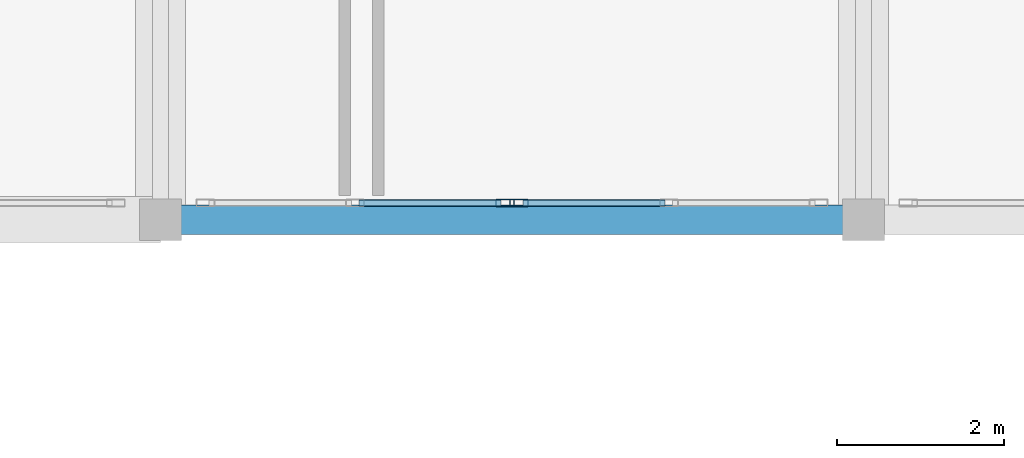
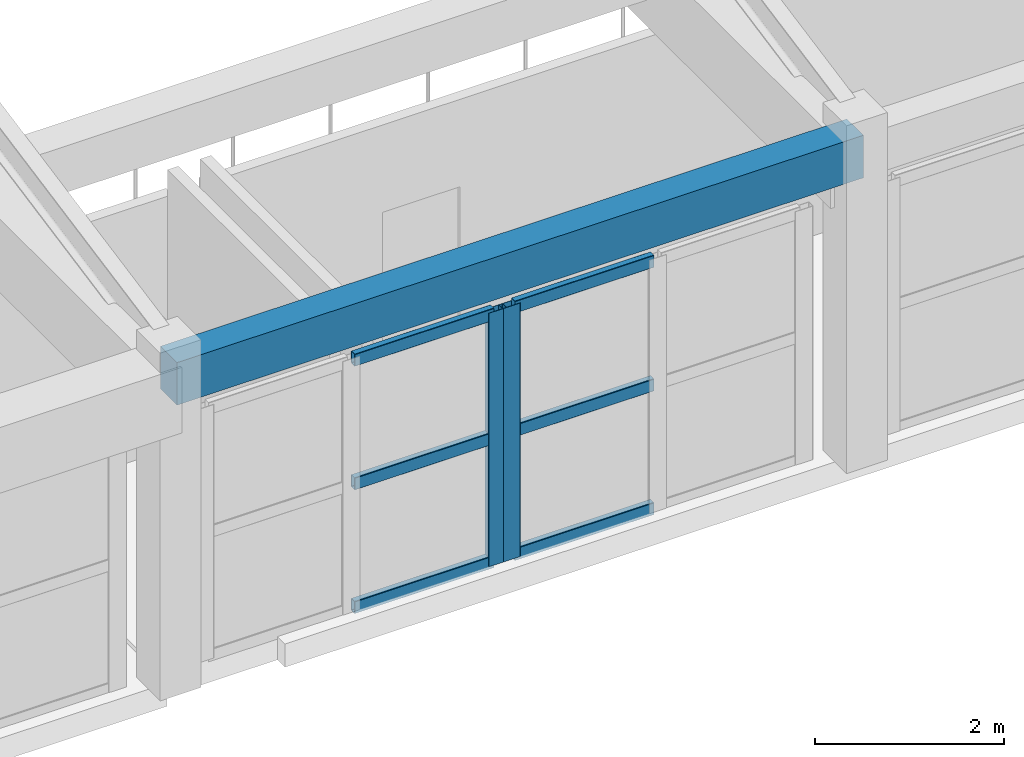
# One storey, part 23 of 91: 8 members, 1 beam, 2 elements without a shape of their own.
"""IFC4 building model written with IfcOpenShell, lengths in metres."""

from ifc_helpers import new_model, si_unit, direction, frame, origin, origin_2d, place, context, subcontext, project, spatial, rectangle, hollow_rectangle, extrude, material, layer, layer_set, material_profile, profile_set, type_object, element, aggregate, save


model = new_model("IFC4")

# Units and contexts
model_context = context("Model", 3, precision=1e-05, world=origin(), true_north=direction((0.0, 1.0)))
body_context = subcontext(model_context, "Body", "Model", "MODEL_VIEW")
ifc_project = project(units=[si_unit("LENGTHUNIT", "METRE"), si_unit("AREAUNIT", "SQUARE_METRE"), si_unit("VOLUMEUNIT", "CUBIC_METRE"), si_unit("PLANEANGLEUNIT", "RADIAN"), si_unit("MASSUNIT", "GRAM", prefix="KILO")], contexts=[model_context])

# Site, building, storey
site_placement = place(None, origin())
site = spatial("IfcSite", under=ifc_project, at=site_placement, CompositionType="ELEMENT")
building_placement = place(site_placement, origin())
building = spatial("IfcBuilding", under=site, at=building_placement, Name="Tarnavel Promenade Courthouse", CompositionType="ELEMENT")
storey_placement = place(building_placement, frame((0.0, 0.0, 9.89990234375)))
storey = spatial("IfcBuildingStorey", under=building, at=storey_placement, Name="L03", CompositionType="ELEMENT", Elevation=9.89990234375)

# Beam
ifc_material_1 = material(Name="Concrete C40/50", Category="concrete")
ifc_material_profile_1 = material_profile(ifc_material_1, rectangle(XDim=0.35009765625, YDim=0.550048828125, at=origin_2d()), Name="RC 350x550")
ifc_profile_set_1 = profile_set([ifc_material_profile_1], Name="Concrete C40/50")
beam_type = type_object("IfcBeamType", Name="Concrete C40/50 BM-RC-350x550 (RC 350x550)", PredefinedType="BEAM", material=ifc_profile_set_1)
beam_placement = place(storey_placement, frame((58.800048828125, 46.800048828125, 3.97021484375), z_axis=(1.0, 0.0, 0.0), x_axis=(0.0, 1.0, 0.0)))
element("IfcBeam", 1, at=beam_placement, inside=storey, type_object=beam_type, Name="L03 Primary Longitudinal Beam 1571", PredefinedType="BEAM", context=body_context, shape_type="SweptSolid", body=[
    extrude(rectangle(XDim=0.35009765625, YDim=0.550048828125, at=origin_2d()), origin(), (0.0, 0.0, 1.0), 8.39990234375),
])

# Curtain wall, member
ifc_material_2 = material(Name="Thermally Broken Anodised Aluminium Curtain Wall System", Category="aluminium")
ifc_layer = layer(ifc_material_2, 0.239990234375)
ifc_layer_set = layer_set([ifc_layer], Name="Thermally Broken Anodised Aluminium Curtain Wall System")
curtain_wall_type = type_object("IfcCurtainWallType", Name="Thermally Broken Aluminium Triple-Glazed Curtain Wall CW-WG-S", PredefinedType="NOTDEFINED", material=ifc_layer_set)
curtain_wall_1_placement = place(storey_placement, origin())
curtain_wall_1 = element("IfcCurtainWall", 2, at=curtain_wall_1_placement, inside=storey, type_object=curtain_wall_type, Name="L03 Winter-Garden South Solar Curtain Wall 087", PredefinedType="NOTDEFINED")
ifc_material_3 = material(Name="Thermally Broken Anodised Aluminium Frame", Category="aluminium")
ifc_material_profile_2 = material_profile(ifc_material_3, hollow_rectangle(XDim=0.090087890625, YDim=0.219970703125, WallThickness=0.0048828125, InnerFilletRadius=0.0048828125, OuterFilletRadius=0.010009765625, at=origin_2d()), Name="CWM 220x90x5")
ifc_profile_set_2 = profile_set([ifc_material_profile_2], Name="Thermally Broken Anodised Aluminium Frame")
member_type_1 = type_object("IfcMemberType", Name="Thermally Broken Anodised Aluminium CWM-175 (CWM 220x90x5)", PredefinedType="MULLION", material=ifc_profile_set_2)
member_1_placement = place(storey_placement, frame((62.9150390625, 47.0, 0.0), z_axis=(0.0, 0.0, 1.0), x_axis=(0.0, 1.0, 0.0)))
member_1 = element("IfcMember", 3, at=member_1_placement, type_object=member_type_1, Name="CW-02 mullion 3", PredefinedType="MULLION", context=body_context, shape_type="SweptSolid", body=[
    extrude(hollow_rectangle(XDim=0.090087890625, YDim=0.219970703125, WallThickness=0.0048828125, InnerFilletRadius=0.0048828125, OuterFilletRadius=0.010009765625, at=origin_2d()), origin(), (0.0, 0.0, 1.0), 3.280029296875),
])

curtain_wall_2_placement = place(storey_placement, origin())
curtain_wall_2 = element("IfcCurtainWall", 4, at=curtain_wall_2_placement, inside=storey, type_object=curtain_wall_type, Name="L03 Winter-Garden South Solar Curtain Wall 088", PredefinedType="NOTDEFINED")
member_2_placement = place(storey_placement, frame((63.0849609375, 47.0, 0.0), z_axis=(0.0, 0.0, 1.0), x_axis=(0.0, 1.0, 0.0)))
member_2 = element("IfcMember", 5, at=member_2_placement, type_object=member_type_1, Name="CW-02 mullion 1", PredefinedType="MULLION", context=body_context, shape_type="SweptSolid", body=[
    extrude(hollow_rectangle(XDim=0.090087890625, YDim=0.219970703125, WallThickness=0.0048828125, InnerFilletRadius=0.0048828125, OuterFilletRadius=0.010009765625, at=origin_2d()), origin(), (0.0, 0.0, 1.0), 3.280029296875),
])

# Member
ifc_material_profile_3 = material_profile(ifc_material_3, hollow_rectangle(XDim=0.080078125, YDim=0.159912109375, WallThickness=0.0048828125, InnerFilletRadius=0.0048828125, OuterFilletRadius=0.010009765625, at=origin_2d()), Name="CWT 160x80x5")
ifc_profile_set_3 = profile_set([ifc_material_profile_3], Name="Thermally Broken Anodised Aluminium Frame")
member_type_2 = type_object("IfcMemberType", Name="Thermally Broken Anodised Aluminium CWT-145 (CWT 160x80x5)", PredefinedType="USERDEFINED", material=ifc_profile_set_3)
member_3_placement = place(storey_placement, frame((61.169921875, 47.0, 0.0400390625), z_axis=(1.0, 0.0, 0.0), x_axis=(0.0, 1.0, 0.0)))
member_3 = element("IfcMember", 6, at=member_3_placement, type_object=member_type_2, Name="CW-02 transom 2.1", ObjectType="TRANSOM", PredefinedType="USERDEFINED", context=body_context, shape_type="SweptSolid", body=[
    extrude(hollow_rectangle(XDim=0.080078125, YDim=0.159912109375, WallThickness=0.0048828125, InnerFilletRadius=0.0048828125, OuterFilletRadius=0.010009765625, at=origin_2d()), origin(), (0.0, 0.0, 1.0), 1.7001953125),
])

member_4_placement = place(storey_placement, frame((61.169921875, 47.0, 1.64013671875), z_axis=(1.0, 0.0, 0.0), x_axis=(0.0, 1.0, 0.0)))
member_4 = element("IfcMember", 7, at=member_4_placement, type_object=member_type_2, Name="CW-02 transom 2.2", ObjectType="TRANSOM", PredefinedType="USERDEFINED", context=body_context, shape_type="SweptSolid", body=[
    extrude(hollow_rectangle(XDim=0.080078125, YDim=0.159912109375, WallThickness=0.0048828125, InnerFilletRadius=0.0048828125, OuterFilletRadius=0.010009765625, at=origin_2d()), origin(), (0.0, 0.0, 1.0), 1.7001953125),
])

member_5_placement = place(storey_placement, frame((61.169921875, 47.0, 3.239990234375), z_axis=(1.0, 0.0, 0.0), x_axis=(0.0, 1.0, 0.0)))
member_5 = element("IfcMember", 8, at=member_5_placement, type_object=member_type_2, Name="CW-02 transom 2.3", ObjectType="TRANSOM", PredefinedType="USERDEFINED", context=body_context, shape_type="SweptSolid", body=[
    extrude(hollow_rectangle(XDim=0.080078125, YDim=0.159912109375, WallThickness=0.0048828125, InnerFilletRadius=0.0048828125, OuterFilletRadius=0.010009765625, at=origin_2d()), origin(), (0.0, 0.0, 1.0), 1.7001953125),
])

aggregate(curtain_wall_1, [member_1, member_3, member_4, member_5])

member_6_placement = place(storey_placement, frame((63.1298828125, 47.0, 0.0400390625), z_axis=(1.0, 0.0, 0.0), x_axis=(0.0, 1.0, 0.0)))
member_6 = element("IfcMember", 9, at=member_6_placement, type_object=member_type_2, Name="CW-02 transom 1.1", ObjectType="TRANSOM", PredefinedType="USERDEFINED", context=body_context, shape_type="SweptSolid", body=[
    extrude(hollow_rectangle(XDim=0.080078125, YDim=0.159912109375, WallThickness=0.0048828125, InnerFilletRadius=0.0048828125, OuterFilletRadius=0.010009765625, at=origin_2d()), origin(), (0.0, 0.0, 1.0), 1.7001953125),
])

member_7_placement = place(storey_placement, frame((63.1298828125, 47.0, 1.64013671875), z_axis=(1.0, 0.0, 0.0), x_axis=(0.0, 1.0, 0.0)))
member_7 = element("IfcMember", 10, at=member_7_placement, type_object=member_type_2, Name="CW-02 transom 1.2", ObjectType="TRANSOM", PredefinedType="USERDEFINED", context=body_context, shape_type="SweptSolid", body=[
    extrude(hollow_rectangle(XDim=0.080078125, YDim=0.159912109375, WallThickness=0.0048828125, InnerFilletRadius=0.0048828125, OuterFilletRadius=0.010009765625, at=origin_2d()), origin(), (0.0, 0.0, 1.0), 1.7001953125),
])

member_8_placement = place(storey_placement, frame((63.1298828125, 47.0, 3.239990234375), z_axis=(1.0, 0.0, 0.0), x_axis=(0.0, 1.0, 0.0)))
member_8 = element("IfcMember", 11, at=member_8_placement, type_object=member_type_2, Name="CW-02 transom 1.3", ObjectType="TRANSOM", PredefinedType="USERDEFINED", context=body_context, shape_type="SweptSolid", body=[
    extrude(hollow_rectangle(XDim=0.080078125, YDim=0.159912109375, WallThickness=0.0048828125, InnerFilletRadius=0.0048828125, OuterFilletRadius=0.010009765625, at=origin_2d()), origin(), (0.0, 0.0, 1.0), 1.7001953125),
])

aggregate(curtain_wall_2, [member_2, member_6, member_7, member_8])

save(model, "model.ifc")
